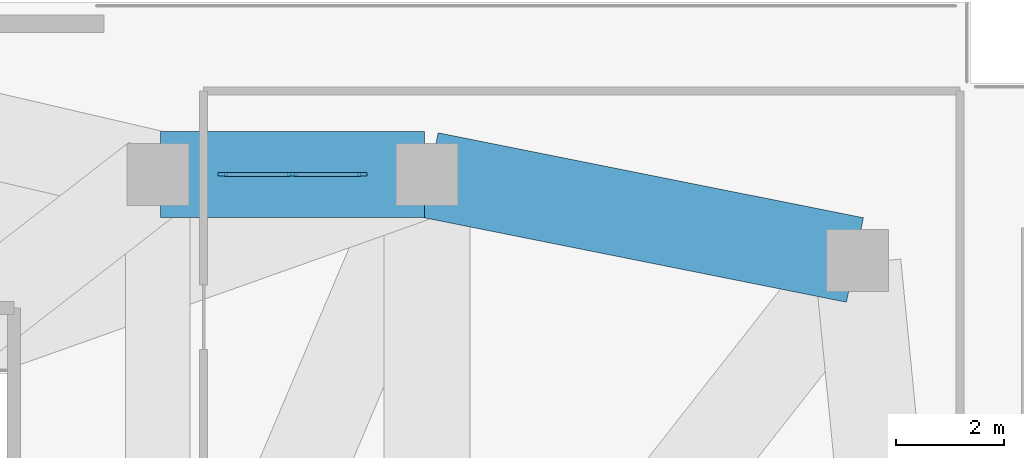
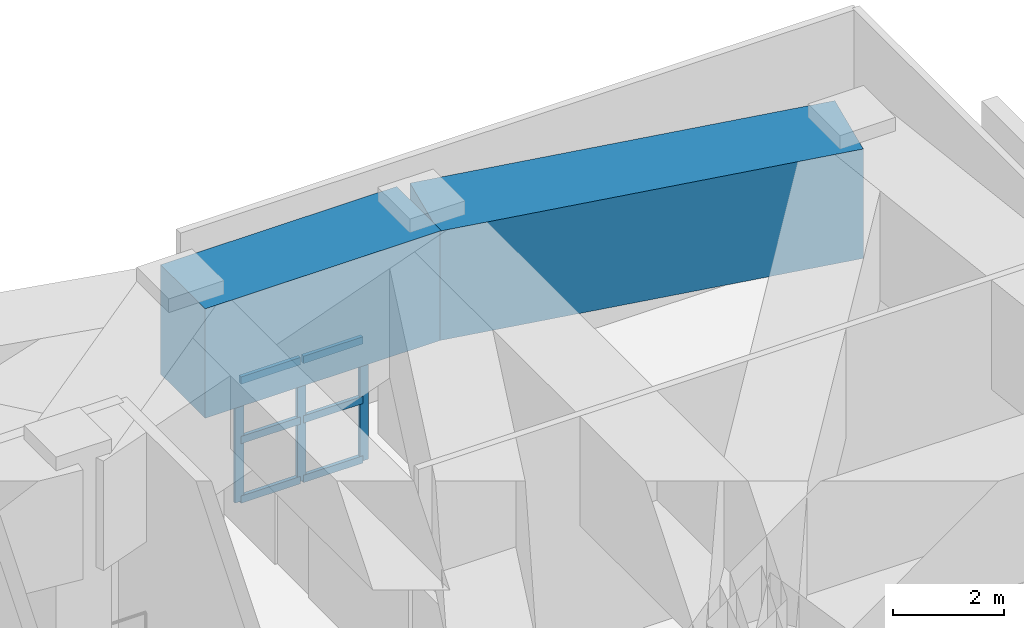
# One storey, part 4 of 15: 9 members, 2 beams, 1 element without a shape of its own.
"""IFC4 building model written with IfcOpenShell, lengths in metres."""

from ifc_helpers import new_model, si_unit, direction, frame, origin, origin_2d, place, context, subcontext, project, spatial, rectangle, extrude, material, material_profile, profile_set, type_object, element, aggregate, save


model = new_model("IFC4")

# Units and contexts
model_context = context("Model", 3, precision=1e-05, world=origin(), true_north=direction((0.0, 1.0)))
body_context = subcontext(model_context, "Body", "Model", "MODEL_VIEW")
ifc_project = project(units=[si_unit("LENGTHUNIT", "METRE"), si_unit("AREAUNIT", "SQUARE_METRE"), si_unit("VOLUMEUNIT", "CUBIC_METRE"), si_unit("PLANEANGLEUNIT", "RADIAN"), si_unit("MASSUNIT", "GRAM", prefix="KILO")], contexts=[model_context])

# Site, building, storey
site_placement = place(None, origin())
site = spatial("IfcSite", under=ifc_project, at=site_placement, CompositionType="ELEMENT")
building_placement = place(site_placement, origin())
building = spatial("IfcBuilding", under=site, at=building_placement, Name="Gaonmaruhae Medical Tower", CompositionType="ELEMENT")
storey_placement = place(building_placement, frame((0.0, 0.0, 21.60009765625)))
storey = spatial("IfcBuildingStorey", under=building, at=storey_placement, Name="L04", CompositionType="ELEMENT", Elevation=21.60009765625)

# Curtain wall, members
ifc_material_1 = material(Name="Anodised aluminium and Low-E double glazing", Category="aluminium")
curtain_wall_type = type_object("IfcCurtainWallType", Name="CW-S6 Podium Diagnostic Atrium Curtain Wall", PredefinedType="NOTDEFINED", material=ifc_material_1)
curtain_wall_placement = place(storey_placement, origin())
curtain_wall = element("IfcCurtainWall", 1, at=curtain_wall_placement, inside=storey, type_object=curtain_wall_type, Name="L04 Curtain Wall CW-L04-S6A", PredefinedType="NOTDEFINED")
ifc_material_2 = material(Name="Anodised aluminium 6063-T6", Category="aluminium")
ifc_material_profile_1 = material_profile(ifc_material_2, rectangle(XDim=0.06494140625, YDim=0.179931640625, at=origin_2d()), Name="CWM-65x180")
ifc_profile_set_1 = profile_set([ifc_material_profile_1], Name="Anodised aluminium 6063-T6")
member_type_1 = type_object("IfcMemberType", Name="CWM-2 Tower Feature Curtain Wall Mullion (CWM-65x180)", PredefinedType="MULLION", material=ifc_profile_set_1)
member_1_placement = place(storey_placement, frame((67.40576171875, 27.199951171875, 0.0), z_axis=(0.0, 0.0, 1.0), x_axis=(0.0, 1.0, 0.0)))
member_1 = element("IfcMember", 2, at=member_1_placement, type_object=member_type_1, Name="CW-S6 mullion 1", PredefinedType="MULLION", context=body_context, shape_type="SweptSolid", body=[
    extrude(rectangle(XDim=0.06494140625, YDim=0.179931640625, at=origin_2d()), origin(), (0.0, 0.0, 1.0), 2.684814453125),
])
member_2_placement = place(storey_placement, frame((68.699951171875, 27.199951171875, 0.0), z_axis=(0.0, 0.0, 1.0), x_axis=(0.0, 1.0, 0.0)))
member_2 = element("IfcMember", 3, at=member_2_placement, type_object=member_type_1, Name="CW-S6 mullion 2", PredefinedType="MULLION", context=body_context, shape_type="SweptSolid", body=[
    extrude(rectangle(XDim=0.06494140625, YDim=0.179931640625, at=origin_2d()), origin(), (0.0, 0.0, 1.0), 2.684814453125),
])
member_3_placement = place(storey_placement, frame((69.994384765625, 27.199951171875, 0.0), z_axis=(0.0, 0.0, 1.0), x_axis=(0.0, 1.0, 0.0)))
member_3 = element("IfcMember", 4, at=member_3_placement, type_object=member_type_1, Name="CW-S6 mullion 3", PredefinedType="MULLION", context=body_context, shape_type="SweptSolid", body=[
    extrude(rectangle(XDim=0.06494140625, YDim=0.179931640625, at=origin_2d()), origin(), (0.0, 0.0, 1.0), 2.684814453125),
])
ifc_material_profile_2 = material_profile(ifc_material_2, rectangle(XDim=0.074951171875, YDim=0.159912109375, at=origin_2d()), Name="CWT-75x160")
ifc_profile_set_2 = profile_set([ifc_material_profile_2], Name="Anodised aluminium 6063-T6")
member_type_2 = type_object("IfcMemberType", Name="CWT-1 Heavy Atrium Curtain Wall Transom (CWT-75x160)", PredefinedType="USERDEFINED", material=ifc_profile_set_2)
member_4_placement = place(storey_placement, frame((67.438232421875, 27.199951171875, 0.037353515625), z_axis=(1.0, 0.0, 0.0), x_axis=(0.0, 1.0, 0.0)))
member_4 = element("IfcMember", 5, at=member_4_placement, type_object=member_type_2, Name="CW-S6 transom 1.1", ObjectType="TRANSOM", PredefinedType="USERDEFINED", context=body_context, shape_type="SweptSolid", body=[
    extrude(rectangle(XDim=0.074951171875, YDim=0.159912109375, at=origin_2d()), origin(), (0.0, 0.0, 1.0), 1.229248046875),
])
member_5_placement = place(storey_placement, frame((67.438232421875, 27.199951171875, 1.34228515625), z_axis=(1.0, 0.0, 0.0), x_axis=(0.0, 1.0, 0.0)))
member_5 = element("IfcMember", 6, at=member_5_placement, type_object=member_type_2, Name="CW-S6 transom 1.2", ObjectType="TRANSOM", PredefinedType="USERDEFINED", context=body_context, shape_type="SweptSolid", body=[
    extrude(rectangle(XDim=0.074951171875, YDim=0.159912109375, at=origin_2d()), origin(), (0.0, 0.0, 1.0), 1.229248046875),
])
member_6_placement = place(storey_placement, frame((67.438232421875, 27.199951171875, 2.6474609375), z_axis=(1.0, 0.0, 0.0), x_axis=(0.0, 1.0, 0.0)))
member_6 = element("IfcMember", 7, at=member_6_placement, type_object=member_type_2, Name="CW-S6 transom 1.3", ObjectType="TRANSOM", PredefinedType="USERDEFINED", context=body_context, shape_type="SweptSolid", body=[
    extrude(rectangle(XDim=0.074951171875, YDim=0.159912109375, at=origin_2d()), origin(), (0.0, 0.0, 1.0), 1.229248046875),
])
member_7_placement = place(storey_placement, frame((68.732421875, 27.199951171875, 0.037353515625), z_axis=(1.0, 0.0, 0.0), x_axis=(0.0, 1.0, 0.0)))
member_7 = element("IfcMember", 8, at=member_7_placement, type_object=member_type_2, Name="CW-S6 transom 2.1", ObjectType="TRANSOM", PredefinedType="USERDEFINED", context=body_context, shape_type="SweptSolid", body=[
    extrude(rectangle(XDim=0.074951171875, YDim=0.159912109375, at=origin_2d()), origin(), (0.0, 0.0, 1.0), 1.2294921875),
])
member_8_placement = place(storey_placement, frame((68.732421875, 27.199951171875, 1.34228515625), z_axis=(1.0, 0.0, 0.0), x_axis=(0.0, 1.0, 0.0)))
member_8 = element("IfcMember", 9, at=member_8_placement, type_object=member_type_2, Name="CW-S6 transom 2.2", ObjectType="TRANSOM", PredefinedType="USERDEFINED", context=body_context, shape_type="SweptSolid", body=[
    extrude(rectangle(XDim=0.074951171875, YDim=0.159912109375, at=origin_2d()), origin(), (0.0, 0.0, 1.0), 1.2294921875),
])
member_9_placement = place(storey_placement, frame((68.732421875, 27.199951171875, 2.6474609375), z_axis=(1.0, 0.0, 0.0), x_axis=(0.0, 1.0, 0.0)))
member_9 = element("IfcMember", 10, at=member_9_placement, type_object=member_type_2, Name="CW-S6 transom 2.3", ObjectType="TRANSOM", PredefinedType="USERDEFINED", context=body_context, shape_type="SweptSolid", body=[
    extrude(rectangle(XDim=0.074951171875, YDim=0.159912109375, at=origin_2d()), origin(), (0.0, 0.0, 1.0), 1.2294921875),
])
aggregate(curtain_wall, [member_1, member_2, member_3, member_4, member_5, member_6, member_7, member_8, member_9])

# Beams
ifc_material_3 = material(Name="Concrete C60/75", Category="concrete")
ifc_material_profile_3 = material_profile(ifc_material_3, rectangle(XDim=1.60009765625, YDim=2.39990234375, at=origin_2d()), Name="TG-1600x2400")
ifc_profile_set_3 = profile_set([ifc_material_profile_3], Name="Concrete C60/75")
beam_type = type_object("IfcBeamType", Name="TG-01I Portal Arch Interior Transfer Girder (TG-1600x2400)", PredefinedType="BEAM", material=ifc_profile_set_3)
beam_1_placement = place(storey_placement, frame((66.25, 27.199951171875, 3.89990234375), z_axis=(1.0, 0.0, 0.0), x_axis=(0.0, 1.0, 0.0)))
element("IfcBeam", 11, at=beam_1_placement, inside=storey, type_object=beam_type, Name="L04 Beam BM-L04-PG066", PredefinedType="BEAM", context=body_context, shape_type="SweptSolid", body=[
    extrude(rectangle(XDim=1.60009765625, YDim=2.39990234375, at=origin_2d()), origin(), (0.0, 0.0, 1.0), 4.89990234375),
])
beam_2_placement = place(storey_placement, frame((71.2490234375, 27.190185546875, 3.89990234375), z_axis=(0.98058184093, -0.196110308853, 0.0), x_axis=(0.196110308853, 0.98058184093, 0.0)))
element("IfcBeam", 12, at=beam_2_placement, inside=storey, type_object=beam_type, Name="L04 Beam BM-L04-PG068", PredefinedType="BEAM", context=body_context, shape_type="SweptSolid", body=[
    extrude(rectangle(XDim=1.60009765625, YDim=2.39990234375, at=origin_2d()), origin(), (0.0, 0.0, 1.0), 8.058349609375),
])

save(model, "model.ifc")
